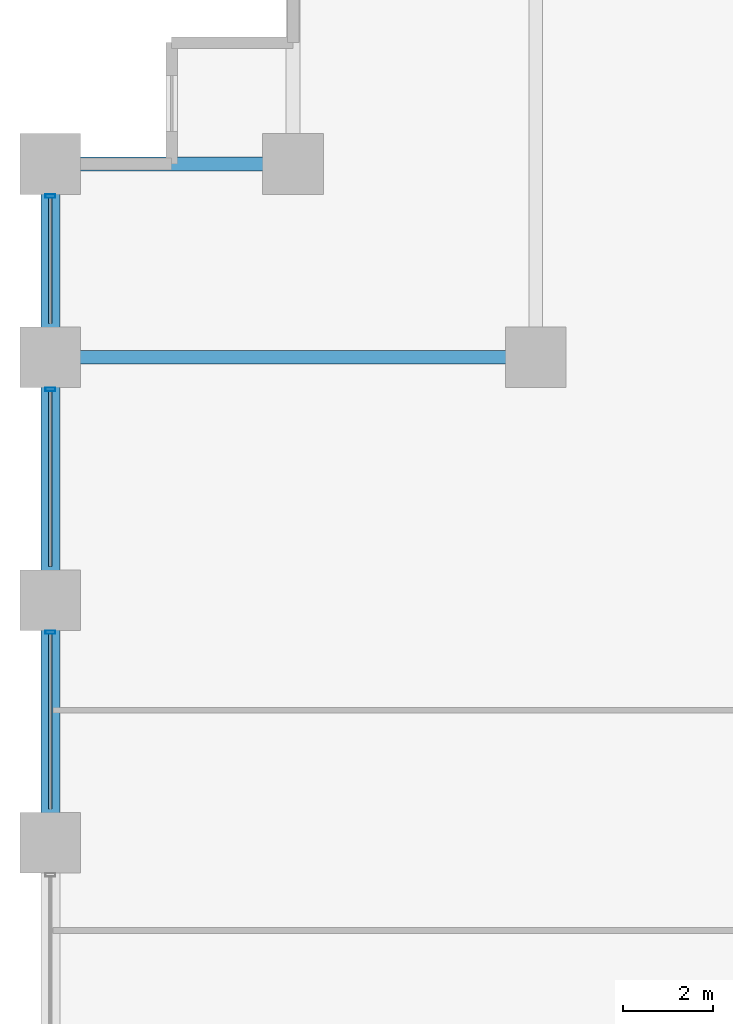
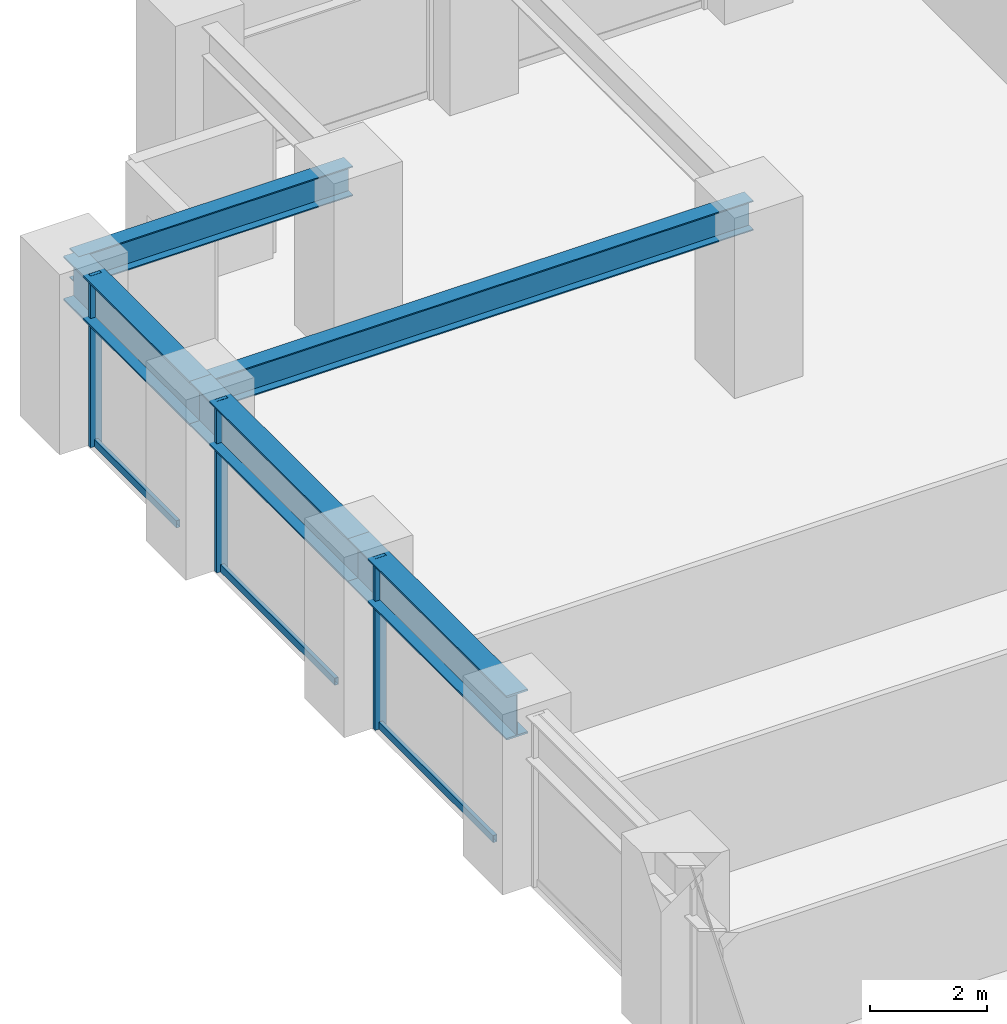
# One storey, part 10 of 25: 6 members, 5 beams, 1 element without a shape of its own.
"""IFC4 building model written with IfcOpenShell, lengths in metres."""

from ifc_helpers import new_model, si_unit, direction, frame, origin, origin_2d, place, context, subcontext, project, spatial, hollow_rectangle, i_section, extrude, material, layer, layer_set, material_profile, profile_set, type_object, element, aggregate, save


model = new_model("IFC4")

# Units and contexts
model_context = context("Model", 3, precision=1e-05, world=origin(), true_north=direction((0.0, 1.0)))
body_context = subcontext(model_context, "Body", "Model", "MODEL_VIEW")
ifc_project = project(units=[si_unit("LENGTHUNIT", "METRE"), si_unit("AREAUNIT", "SQUARE_METRE"), si_unit("VOLUMEUNIT", "CUBIC_METRE"), si_unit("PLANEANGLEUNIT", "RADIAN"), si_unit("MASSUNIT", "GRAM", prefix="KILO")], contexts=[model_context])

# Site, building, storey
site_placement = place(None, origin())
site = spatial("IfcSite", under=ifc_project, at=site_placement, CompositionType="ELEMENT")
building_placement = place(site_placement, origin())
building = spatial("IfcBuilding", under=site, at=building_placement, Name="Surkhivell Harbour Commons", CompositionType="ELEMENT")
storey_placement = place(building_placement, frame((0.0, 0.0, 41.25)))
storey = spatial("IfcBuildingStorey", under=building, at=storey_placement, Name="L10", CompositionType="ELEMENT", Elevation=41.25)

# Beams
ifc_material_1 = material(Name="Steel S355", Category="steel")
ifc_material_profile_1 = material_profile(ifc_material_1, i_section(OverallWidth=0.306884765625, OverallDepth=0.6201171875, WebThickness=0.01416015625, FlangeThickness=0.023681640625, at=origin_2d()), Name="UB610x305x179")
ifc_profile_set_1 = profile_set([ifc_material_profile_1], Name="Steel S355")
beam_type_1 = type_object("IfcBeamType", Name="BM-GRD-610A", PredefinedType="BEAM", material=ifc_profile_set_1)
beam_1_placement = place(storey_placement, frame((-32.39990234375, 16.199951171875, 3.260009765625), z_axis=(1.0, 0.0, 0.0), x_axis=(0.0, 1.0, 0.0)))
element("IfcBeam", 1, at=beam_1_placement, inside=storey, type_object=beam_type_1, Name="L10 Floor Girder (-32.4,16.2)", PredefinedType="BEAM", context=body_context, shape_type="SweptSolid", body=[
    extrude(i_section(OverallWidth=0.306884765625, OverallDepth=0.6201171875, WebThickness=0.01416015625, FlangeThickness=0.023681640625, at=origin_2d()), origin(), (0.0, 0.0, 1.0), 10.7998046875),
])
beam_2_placement = place(storey_placement, frame((-32.39990234375, 20.5, 3.260009765625), z_axis=(1.0, 0.0, 0.0), x_axis=(0.0, 1.0, 0.0)))
element("IfcBeam", 2, at=beam_2_placement, inside=storey, type_object=beam_type_1, Name="L10 Floor Girder (-32.4,20.5)", PredefinedType="BEAM", context=body_context, shape_type="SweptSolid", body=[
    extrude(i_section(OverallWidth=0.306884765625, OverallDepth=0.6201171875, WebThickness=0.01416015625, FlangeThickness=0.023681640625, at=origin_2d()), origin(), (0.0, 0.0, 1.0), 5.39990234375),
])
ifc_material_2 = material(Name="Steel S460", Category="steel")
ifc_material_profile_2 = material_profile(ifc_material_2, i_section(OverallWidth=0.419921875, OverallDepth=0.9208984375, WebThickness=0.021484375, FlangeThickness=0.03662109375, at=origin_2d()), Name="UB914x419x388")
ifc_profile_set_2 = profile_set([ifc_material_profile_2], Name="Steel S460")
beam_type_2 = type_object("IfcBeamType", Name="BM-SPN-914A", PredefinedType="SPANDREL", material=ifc_profile_set_2)
beam_3_placement = place(storey_placement, frame((-32.39990234375, 5.39990234375, 3.109619140625), z_axis=(0.0, 1.0, 0.0), x_axis=(-1.0, 0.0, 0.0)))
element("IfcBeam", 3, at=beam_3_placement, inside=storey, type_object=beam_type_2, Name="L10 Tube Spandrel (-32.4,5.4)", PredefinedType="SPANDREL", context=body_context, shape_type="SweptSolid", body=[
    extrude(i_section(OverallWidth=0.419921875, OverallDepth=0.9208984375, WebThickness=0.021484375, FlangeThickness=0.03662109375, at=origin_2d()), origin(), (0.0, 0.0, 1.0), 5.400146484375),
])
beam_4_placement = place(storey_placement, frame((-32.39990234375, 10.800048828125, 3.109619140625), z_axis=(0.0, 1.0, 0.0), x_axis=(-1.0, 0.0, 0.0)))
element("IfcBeam", 4, at=beam_4_placement, inside=storey, type_object=beam_type_2, Name="L10 Tube Spandrel (-32.4,10.8)", PredefinedType="SPANDREL", context=body_context, shape_type="SweptSolid", body=[
    extrude(i_section(OverallWidth=0.419921875, OverallDepth=0.9208984375, WebThickness=0.021484375, FlangeThickness=0.03662109375, at=origin_2d()), origin(), (0.0, 0.0, 1.0), 5.39990234375),
])
beam_5_placement = place(storey_placement, frame((-32.39990234375, 16.199951171875, 3.109619140625), z_axis=(0.0, 1.0, 0.0), x_axis=(-1.0, 0.0, 0.0)))
element("IfcBeam", 5, at=beam_5_placement, inside=storey, type_object=beam_type_2, Name="L10 Tube Spandrel (-32.4,16.2)", PredefinedType="SPANDREL", context=body_context, shape_type="SweptSolid", body=[
    extrude(i_section(OverallWidth=0.419921875, OverallDepth=0.9208984375, WebThickness=0.021484375, FlangeThickness=0.03662109375, at=origin_2d()), origin(), (0.0, 0.0, 1.0), 4.300048828125),
])

# Curtain wall, members
ifc_material_3 = material(Name="Anodised pale-metal aluminium and insulated glazing", Category="aluminium")
ifc_layer = layer(ifc_material_3, 0.219970703125)
ifc_layer_set = layer_set([ifc_layer], Name="Anodised pale-metal aluminium and insulated glazing")
curtain_wall_type = type_object("IfcCurtainWallType", Name="CW-SYS-Z1", PredefinedType="NOTDEFINED", material=ifc_layer_set)
curtain_wall_placement = place(storey_placement, origin())
curtain_wall = element("IfcCurtainWall", 6, at=curtain_wall_placement, inside=storey, type_object=curtain_wall_type, Name="L10 Curtain Wall CW-L10-E12S1", PredefinedType="NOTDEFINED")
ifc_material_4 = material(Name="Anodised pale-metal aluminium alloy 6063-T6", Category="aluminium")
ifc_material_profile_3 = material_profile(ifc_material_4, hollow_rectangle(XDim=0.074951171875, YDim=0.219970703125, WallThickness=0.00390625, at=origin_2d()), Name="ALU-MULL-75x220")
ifc_profile_set_3 = profile_set([ifc_material_profile_3], Name="Anodised pale-metal aluminium alloy 6063-T6")
member_type_1 = type_object("IfcMemberType", Name="CWM-220", PredefinedType="MULLION", material=ifc_profile_set_3)
member_1_placement = place(storey_placement, frame((-32.39990234375, 19.785400390625, 0.0), z_axis=(0.0, 0.0, 1.0), x_axis=(0.0, -1.0, 0.0)))
member_1 = element("IfcMember", 7, at=member_1_placement, type_object=member_type_1, Name="CW-Z1 mullion 1", PredefinedType="MULLION", context=body_context, shape_type="SweptSolid", body=[
    extrude(hollow_rectangle(XDim=0.074951171875, YDim=0.219970703125, WallThickness=0.00390625, at=origin_2d()), origin(), (0.0, 0.0, 1.0), 3.570068359375),
])
member_2_placement = place(storey_placement, frame((-32.39990234375, 15.485595703125, 0.0), z_axis=(0.0, 0.0, 1.0), x_axis=(0.0, -1.0, 0.0)))
member_2 = element("IfcMember", 8, at=member_2_placement, type_object=member_type_1, Name="CW-Z1 mullion 2", PredefinedType="MULLION", context=body_context, shape_type="SweptSolid", body=[
    extrude(hollow_rectangle(XDim=0.074951171875, YDim=0.219970703125, WallThickness=0.00390625, at=origin_2d()), origin(), (0.0, 0.0, 1.0), 3.570068359375),
])
member_3_placement = place(storey_placement, frame((-32.39990234375, 10.08544921875, 0.0), z_axis=(0.0, 0.0, 1.0), x_axis=(0.0, -1.0, 0.0)))
member_3 = element("IfcMember", 9, at=member_3_placement, type_object=member_type_1, Name="CW-Z1 mullion 3", PredefinedType="MULLION", context=body_context, shape_type="SweptSolid", body=[
    extrude(hollow_rectangle(XDim=0.074951171875, YDim=0.219970703125, WallThickness=0.00390625, at=origin_2d()), origin(), (0.0, 0.0, 1.0), 3.570068359375),
])
ifc_material_profile_4 = material_profile(ifc_material_4, hollow_rectangle(XDim=0.074951171875, YDim=0.14990234375, WallThickness=0.00341796875, at=origin_2d()), Name="ALU-TRAN-75x150")
ifc_profile_set_4 = profile_set([ifc_material_profile_4], Name="Anodised pale-metal aluminium alloy 6063-T6")
member_type_2 = type_object("IfcMemberType", Name="CWT-150", PredefinedType="USERDEFINED", material=ifc_profile_set_4)
member_4_placement = place(storey_placement, frame((-32.39990234375, 19.748046875, 0.074951171875), z_axis=(0.0, -1.0, 0.0), x_axis=(1.0, 0.0, 0.0)))
member_4 = element("IfcMember", 10, at=member_4_placement, type_object=member_type_2, Name="CW-Z1 transom 1.1", ObjectType="TRANSOM", PredefinedType="USERDEFINED", context=body_context, shape_type="SweptSolid", body=[
    extrude(hollow_rectangle(XDim=0.074951171875, YDim=0.14990234375, WallThickness=0.00341796875, at=origin_2d()), origin(), (0.0, 0.0, 1.0), 2.796142578125),
])
member_5_placement = place(storey_placement, frame((-32.39990234375, 15.447998046875, 0.074951171875), z_axis=(0.0, -1.0, 0.0), x_axis=(1.0, 0.0, 0.0)))
member_5 = element("IfcMember", 11, at=member_5_placement, type_object=member_type_2, Name="CW-Z1 transom 2.1", ObjectType="TRANSOM", PredefinedType="USERDEFINED", context=body_context, shape_type="SweptSolid", body=[
    extrude(hollow_rectangle(XDim=0.074951171875, YDim=0.14990234375, WallThickness=0.00341796875, at=origin_2d()), origin(), (0.0, 0.0, 1.0), 3.89599609375),
])
member_6_placement = place(storey_placement, frame((-32.39990234375, 10.048095703125, 0.074951171875), z_axis=(0.0, -1.0, 0.0), x_axis=(1.0, 0.0, 0.0)))
member_6 = element("IfcMember", 12, at=member_6_placement, type_object=member_type_2, Name="CW-Z1 transom 3.1", ObjectType="TRANSOM", PredefinedType="USERDEFINED", context=body_context, shape_type="SweptSolid", body=[
    extrude(hollow_rectangle(XDim=0.074951171875, YDim=0.14990234375, WallThickness=0.00341796875, at=origin_2d()), origin(), (0.0, 0.0, 1.0), 3.89599609375),
])
aggregate(curtain_wall, [member_1, member_4, member_2, member_5, member_3, member_6])

save(model, "model.ifc")
